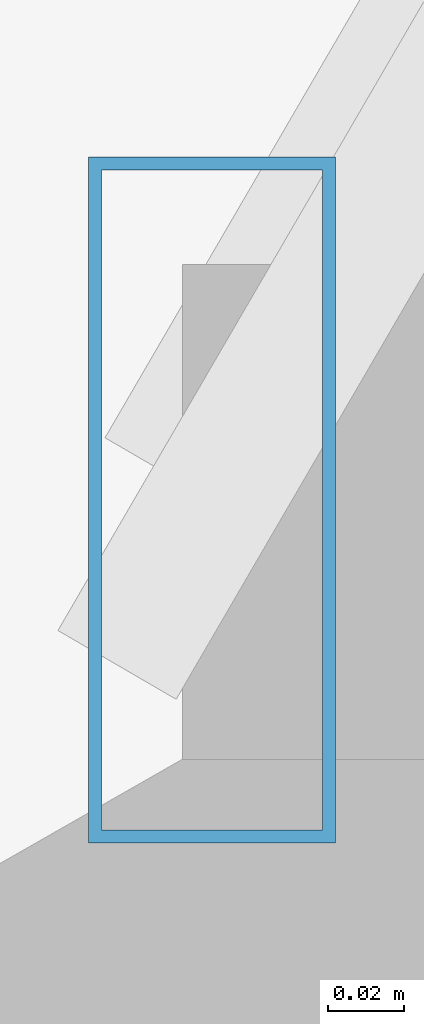
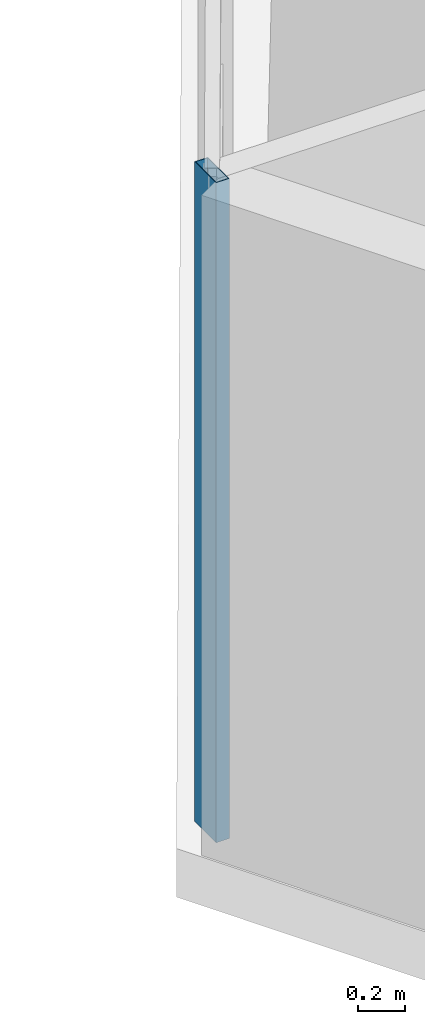
# One storey, part 6 of 36: 1 member, 1 element without a shape of its own.
"""IFC4 building model written with IfcOpenShell, lengths in metres."""

from ifc_helpers import new_model, si_unit, direction, frame, origin, origin_2d, place, context, subcontext, project, spatial, hollow_rectangle, extrude, source, transform, mapped, material, material_profile, profile_set, type_object, type_shapes, element, aggregate, save


model = new_model("IFC4")

# Units and contexts
model_context = context("Model", 3, precision=1e-05, world=origin(), true_north=direction((0.0, 1.0)))
body_context = subcontext(model_context, "Body", "Model", "MODEL_VIEW")
ifc_project = project(units=[si_unit("LENGTHUNIT", "METRE"), si_unit("AREAUNIT", "SQUARE_METRE"), si_unit("VOLUMEUNIT", "CUBIC_METRE"), si_unit("PLANEANGLEUNIT", "RADIAN"), si_unit("MASSUNIT", "GRAM", prefix="KILO")], contexts=[model_context])

# Site, building, storey
site_placement = place(None, origin())
site = spatial("IfcSite", under=ifc_project, at=site_placement, CompositionType="ELEMENT")
building_placement = place(site_placement, origin())
building = spatial("IfcBuilding", under=site, at=building_placement, Name="Caelisora Broadcast Tower", CompositionType="ELEMENT")
storey_placement = place(building_placement, frame((0.0, 0.0, 64.10009765625)))
storey = spatial("IfcBuildingStorey", under=building, at=storey_placement, Name="L16", CompositionType="ELEMENT", Elevation=64.10009765625)

# Curtain wall, member
ifc_material_1 = material(Name="Unitised Aluminium and Low-E Glass Curtain Wall", Category="glass")
curtain_wall_type = type_object("IfcCurtainWallType", Name="CW-Z1", PredefinedType="NOTDEFINED", material=ifc_material_1)
curtain_wall_placement = place(storey_placement, origin())
curtain_wall = element("IfcCurtainWall", 1, at=curtain_wall_placement, inside=storey, type_object=curtain_wall_type, Name="L16 curtain wall CW-Z1", PredefinedType="NOTDEFINED")
ifc_material_2 = material(Name="Aluminium 6063-T6 Anodised Terracotta Bronze", Category="aluminium")
ifc_material_profile = material_profile(ifc_material_2, hollow_rectangle(XDim=0.06494140625, YDim=0.179931640625, WallThickness=0.00341796875, at=origin_2d()), Name="Aluminium 6063-T6 Anodised Terracotta Bronze")
ifc_profile_set = profile_set([ifc_material_profile], Name="Aluminium 6063-T6 Anodised Terracotta Bronze")
member_type = type_object("IfcMemberType", Name="CWM-02", PredefinedType="MULLION", material=ifc_profile_set)
shared_shape = source(origin(), body_context, "Body", "SweptSolid", [
    extrude(hollow_rectangle(XDim=0.06494140625, YDim=0.179931640625, WallThickness=0.00341796875, at=origin_2d()), origin(), (0.0, 0.0, 1.0), 3.39990234375),
])
type_shapes(member_type, [shared_shape])
member_placement = place(storey_placement, frame((11.426025390625, 17.103271484375, 0.0), z_axis=(0.0, 0.0, 1.0), x_axis=(1.0, 0.0, 0.0)))
member = element("IfcMember", 2, at=member_placement, type_object=member_type, Name="L16-CW-B09 mullion #0", PredefinedType="MULLION", context=body_context, shape_type="MappedRepresentation", body=[
    mapped(shared_shape, transform((0.0, 0.0, 0.0), scale=1.0)),
])
aggregate(curtain_wall, [member])

save(model, "model.ifc")
